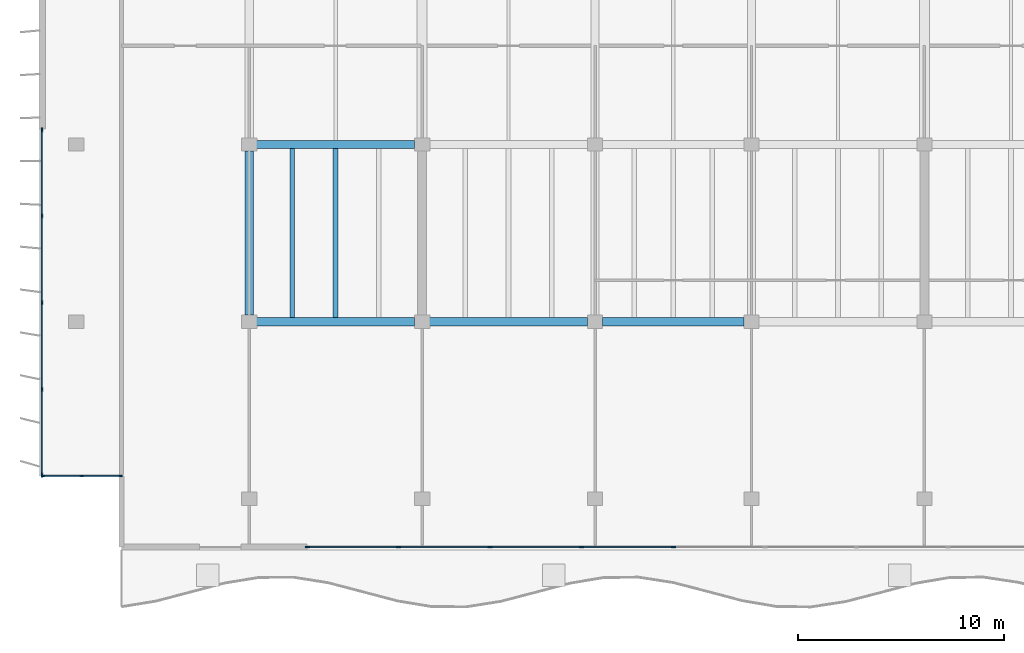
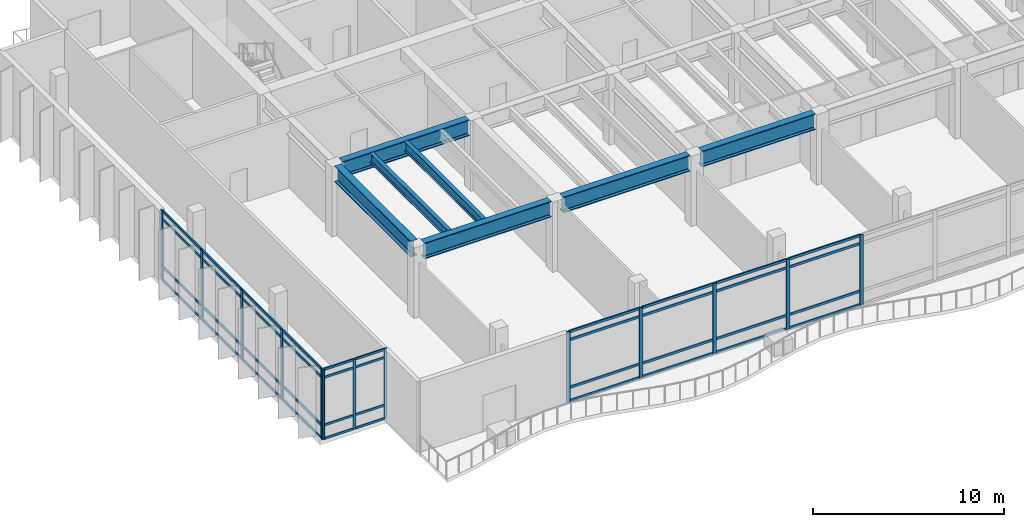
# One storey, part 2 of 14: 53 members, 7 beams, 3 elements without a shape of their own.
"""IFC4 building model written with IfcOpenShell, lengths in metres."""

import ifcopenshell
import ifcopenshell.guid

model = None  # the IFC model being written
_history = None  # IfcOwnerHistory: only IFC2X3 demands one
_inside = {}  # id of a spatial element -> (the spatial element, [elements in it])
_under = {}  # id of a project, library or spatial element -> (it, [spatial elements below it])
_declared = {}  # id of a project -> (the project, [libraries it declares])
_typed = {}  # id of a type object -> (the type object, [elements of that type])
_made_of = {}  # id of a material, layer set ... -> (it, [elements and type objects made of it])


def new_model(schema):
    """Start an empty IFC model of exactly this schema.

    Asked for "IFC4X3", IfcOpenShell would pick the latest addendum, in which some entities
    have other attributes; the version numbers below select the first issue.
    IFC2X3 requires an IfcOwnerHistory on every rooted entity: one is made here for all.
    """
    global model, _history
    if schema == "IFC4X3":
        model = ifcopenshell.file(schema_version=(4, 3, 0, 0))
    else:
        model = ifcopenshell.file(schema=schema)
    _inside.clear()
    _under.clear()
    _declared.clear()
    _typed.clear()
    _made_of.clear()
    _history = None
    if model.schema == "IFC2X3":
        org = make("IfcOrganization", Name="unknown")
        user = make(
            "IfcPersonAndOrganization",
            ThePerson=make("IfcPerson", FamilyName="unknown"),
            TheOrganization=org,
        )
        app = make(
            "IfcApplication",
            ApplicationDeveloper=org,
            Version="unknown",
            ApplicationFullName="unknown",
            ApplicationIdentifier="unknown",
        )
        _history = make(
            "IfcOwnerHistory",
            OwningUser=user,
            OwningApplication=app,
            ChangeAction="ADDED",
            CreationDate=0,
        )
    return model


def make(cls, **values):
    """One entity of the class cls with the attributes given. An attribute that is None is left unset."""
    return model.create_entity(
        cls, **{name: value for name, value in values.items() if value is not None}
    )


def rooted(cls, **values):
    """An entity with a GlobalId (a new one), such as an element, a storey or a relation."""
    return make(cls, GlobalId=ifcopenshell.guid.new(), OwnerHistory=_history, **values)


def si_unit(unit_type, name, prefix=None):
    """IfcSIUnit, for example si_unit("LENGTHUNIT", "METRE", prefix="MILLI")."""
    return make("IfcSIUnit", UnitType=unit_type, Prefix=prefix, Name=name)


def assignment(units):
    """IfcUnitAssignment: the units of a project."""
    return None if units is None else make("IfcUnitAssignment", Units=units)


def point(xyz):
    """IfcCartesianPoint."""
    return None if xyz is None else make("IfcCartesianPoint", Coordinates=xyz)


def direction(xyz):
    """IfcDirection."""
    return None if xyz is None else make("IfcDirection", DirectionRatios=xyz)


def frame(location, z_axis=None, x_axis=None):
    """IfcAxis2Placement3D, a coordinate frame: its origin and axes. An axis left out is left unset."""
    return make(
        "IfcAxis2Placement3D",
        Location=point(location),
        Axis=direction(z_axis),
        RefDirection=direction(x_axis),
    )


def frame_2d(location, x_axis=None):
    """IfcAxis2Placement2D, a coordinate frame in the plane: its origin and x axis."""
    return make(
        "IfcAxis2Placement2D", Location=point(location), RefDirection=direction(x_axis)
    )


def origin():
    """The frame at (0, 0, 0) with its axes left unset."""
    return frame((0.0, 0.0, 0.0))


def origin_2d():
    """The frame at (0, 0) in the plane with its x axis left unset."""
    return frame_2d((0.0, 0.0))


def place(relative_to, where):
    """IfcLocalPlacement: puts the frame where relative to a parent placement (None: the world)."""
    return make(
        "IfcLocalPlacement", PlacementRelTo=relative_to, RelativePlacement=where
    )


def context(
    kind, dimensions, precision=None, world=None, true_north=None, identifier=None
):
    """IfcGeometricRepresentationContext, for example the 3D "Model" context."""
    return make(
        "IfcGeometricRepresentationContext",
        ContextIdentifier=identifier,
        ContextType=kind,
        CoordinateSpaceDimension=dimensions,
        Precision=precision,
        WorldCoordinateSystem=world,
        TrueNorth=true_north,
    )


def subcontext(parent, identifier, kind, view, scale=None):
    """IfcGeometricRepresentationSubContext, for example "Body" below "Model"."""
    return make(
        "IfcGeometricRepresentationSubContext",
        ContextIdentifier=identifier,
        ContextType=kind,
        ParentContext=parent,
        TargetScale=scale,
        TargetView=view,
    )


def project(units=None, contexts=None):
    """IfcProject with its units and contexts."""
    return rooted(
        "IfcProject",
        Name="project",
        RepresentationContexts=contexts,
        UnitsInContext=assignment(units),
    )


def spatial(cls, under=None, at=None, **own):
    """A site, building, storey or space (cls), placed at a placement, below another one or the project."""
    s = rooted(cls, ObjectPlacement=at, **own)
    if under is not None:
        _under.setdefault(under.id(), (under, []))[1].append(s)
    return s


def profile(cls, at=None, kind="AREA", **sizes):
    """A parametric profile (cls). Its sizes go by their IFC names, for example OverallWidth=200.0."""
    return make(cls, ProfileType=kind, Position=at, **sizes)


def rectangle(**sizes):
    """IfcRectangleProfileDef."""
    return profile("IfcRectangleProfileDef", **sizes)


def i_section(**sizes):
    """IfcIShapeProfileDef."""
    return profile("IfcIShapeProfileDef", **sizes)


def extrude(swept, where, along, depth):
    """IfcExtrudedAreaSolid: the profile swept, set in the frame where, extruded along a direction by depth."""
    return make(
        "IfcExtrudedAreaSolid",
        SweptArea=swept,
        Position=where,
        ExtrudedDirection=direction(along),
        Depth=depth,
    )


def shape(context_of_items, identifier, shape_type, items):
    """IfcShapeRepresentation: the items that make up one representation, for example the "Body"."""
    return make(
        "IfcShapeRepresentation",
        ContextOfItems=context_of_items,
        RepresentationIdentifier=identifier,
        RepresentationType=shape_type,
        Items=items,
    )


def material(Name=None, Category=None):
    """IfcMaterial."""
    return make("IfcMaterial", Name=Name, Category=Category)


def layer(
    of_material, thickness, ventilated=None, Name=None, Category=None, Priority=None
):
    """IfcMaterialLayer: one layer of a wall or slab, of a material (None: an air gap)."""
    return make(
        "IfcMaterialLayer",
        Material=of_material,
        LayerThickness=thickness,
        IsVentilated=ventilated,
        Name=Name,
        Category=Category,
        Priority=Priority,
    )


def layer_set(layers, Name=None):
    """IfcMaterialLayerSet."""
    return make("IfcMaterialLayerSet", MaterialLayers=layers, LayerSetName=Name)


def material_profile(
    of_material, cross_section, Name=None, Category=None, Priority=None
):
    """IfcMaterialProfile: a cross section and its material."""
    return make(
        "IfcMaterialProfile",
        Name=Name,
        Material=of_material,
        Profile=cross_section,
        Priority=Priority,
        Category=Category,
    )


def profile_set(profiles, Name=None, composite=None):
    """IfcMaterialProfileSet."""
    return make(
        "IfcMaterialProfileSet",
        Name=Name,
        MaterialProfiles=profiles,
        CompositeProfile=composite,
    )


def made_of(thing, what):
    """Note that an element or type object is made of a material, layer set ...; save() writes the relation."""
    if what is not None:
        _made_of.setdefault(what.id(), (what, []))[1].append(thing)
    return thing


def type_object(cls, material=None, **own):
    """A type object (cls), such as IfcWallType, which elements share."""
    return made_of(rooted(cls, **own), material)


def element(
    cls,
    number,
    at=None,
    inside=None,
    cuts=None,
    type_object=None,
    material=None,
    context=None,
    identifier="Body",
    shape_type=None,
    held_by="IfcProductDefinitionShape",
    body=None,
    shapes=None,
    **own,
):
    """One element of the class cls, such as IfcWall. Its Tag is "e" and its number.

    at: its placement. inside: the storey or other place that contains it. cuts: it is an
    opening in that element (IfcRelVoidsElement). A single representation is given by context,
    identifier, shape_type and body (its items); several are given by shapes. held_by: the class
    of the entity that holds the representations. save() writes the other relations.
    """
    e = rooted(cls, Tag="e%d" % number, ObjectPlacement=at, **own)
    if body is not None:
        shapes = [shape(context, identifier, shape_type, body)]
    if shapes is not None:
        e.Representation = make(held_by, Representations=shapes)
    if inside is not None:
        _inside.setdefault(inside.id(), (inside, []))[1].append(e)
    if cuts is not None:
        rooted(
            "IfcRelVoidsElement", RelatingBuildingElement=cuts, RelatedOpeningElement=e
        )
    if type_object is not None:
        _typed.setdefault(type_object.id(), (type_object, []))[1].append(e)
    return made_of(e, material)


def aggregate(whole, parts):
    """IfcRelAggregates: a whole, such as a stair, and the parts it consists of."""
    return rooted("IfcRelAggregates", RelatingObject=whole, RelatedObjects=parts)


def save(model, path):
    """Write the relations noted so far, then the file.

    IfcRelAggregates (storeys below a building ...), IfcRelContainedInSpatialStructure (elements
    in a storey), IfcRelDefinesByType, IfcRelAssociatesMaterial and IfcRelDeclares: one each for
    every whole, place, type object, material and project.
    """
    for whole, parts in _under.values():
        aggregate(whole, parts)
    for where, things in _inside.values():
        rooted(
            "IfcRelContainedInSpatialStructure",
            RelatedElements=things,
            RelatingStructure=where,
        )
    for kind, things in _typed.values():
        rooted("IfcRelDefinesByType", RelatedObjects=things, RelatingType=kind)
    for what, things in _made_of.values():
        rooted("IfcRelAssociatesMaterial", RelatedObjects=things, RelatingMaterial=what)
    for by, libraries in _declared.values():
        rooted("IfcRelDeclares", RelatingContext=by, RelatedDefinitions=libraries)
    model.write(path)


model = new_model("IFC4")

# Units and contexts
model_context = context("Model", 3, precision=1e-05, world=origin(), true_north=direction((0.0, 1.0)))
body_context = subcontext(model_context, "Body", "Model", "MODEL_VIEW")
ifc_project = project(units=[si_unit("LENGTHUNIT", "METRE"), si_unit("AREAUNIT", "SQUARE_METRE"), si_unit("VOLUMEUNIT", "CUBIC_METRE"), si_unit("PLANEANGLEUNIT", "RADIAN"), si_unit("MASSUNIT", "GRAM", prefix="KILO")], contexts=[model_context])

# Site, building, storey
site_placement = place(None, origin())
site = spatial("IfcSite", under=ifc_project, at=site_placement, CompositionType="ELEMENT")
building_placement = place(site_placement, origin())
building = spatial("IfcBuilding", under=site, at=building_placement, Name="Caelmar Bay Residences", CompositionType="ELEMENT")
storey_placement = place(building_placement, frame((0.0, 0.0, 269.39990234375)))
storey = spatial("IfcBuildingStorey", under=building, at=storey_placement, Name="L76", CompositionType="ELEMENT", Elevation=269.39990234375)

# Beams
ifc_material_1 = material(Name="Steel ASTM A992 Grade 50", Category="steel")
ifc_material_profile_1 = material_profile(ifc_material_1, i_section(OverallWidth=0.404052734375, OverallDepth=1.02099609375, WebThickness=0.025390625, FlangeThickness=0.0458984375, FilletRadius=0.02294921875, at=origin_2d()), Name="W40X324")
ifc_profile_set_1 = profile_set([ifc_material_profile_1], Name="Steel ASTM A992 Grade 50")
beam_type_1 = type_object("IfcBeamType", Name="BM-GRD-W40X324", PredefinedType="BEAM", material=ifc_profile_set_1)
beam_1_placement = place(storey_placement, frame((18.6650390625, 20.800048828125, 3.989501953125), z_axis=(1.0, 0.0, 0.0), x_axis=(0.0, 1.0, 0.0)))
element("IfcBeam", 1, at=beam_1_placement, inside=storey, type_object=beam_type_1, Name="L76 East-West Girder Y=20.80 (18.3-26.7)", PredefinedType="BEAM", context=body_context, shape_type="SweptSolid", body=[
    extrude(i_section(OverallWidth=0.404052734375, OverallDepth=1.02099609375, WebThickness=0.025390625, FlangeThickness=0.0458984375, FilletRadius=0.02294921875, at=origin_2d()), origin(), (0.0, 0.0, 1.0), 7.669921875),
])
beam_2_placement = place(storey_placement, frame((27.06494140625, 20.800048828125, 3.989501953125), z_axis=(1.0, 0.0, 0.0), x_axis=(0.0, 1.0, 0.0)))
element("IfcBeam", 2, at=beam_2_placement, inside=storey, type_object=beam_type_1, Name="L76 East-West Girder Y=20.80 (26.7-35.1)", PredefinedType="BEAM", context=body_context, shape_type="SweptSolid", body=[
    extrude(i_section(OverallWidth=0.404052734375, OverallDepth=1.02099609375, WebThickness=0.025390625, FlangeThickness=0.0458984375, FilletRadius=0.02294921875, at=origin_2d()), origin(), (0.0, 0.0, 1.0), 7.670166015625),
])
beam_3_placement = place(storey_placement, frame((35.465087890625, 20.800048828125, 3.989501953125), z_axis=(1.0, 0.0, 0.0), x_axis=(0.0, 1.0, 0.0)))
element("IfcBeam", 3, at=beam_3_placement, inside=storey, type_object=beam_type_1, Name="L76 East-West Girder Y=20.80 (35.1-42.7)", PredefinedType="BEAM", context=body_context, shape_type="SweptSolid", body=[
    extrude(i_section(OverallWidth=0.404052734375, OverallDepth=1.02099609375, WebThickness=0.025390625, FlangeThickness=0.0458984375, FilletRadius=0.02294921875, at=origin_2d()), origin(), (0.0, 0.0, 1.0), 6.869873046875),
])
beam_4_placement = place(storey_placement, frame((18.6650390625, 29.39990234375, 3.989501953125), z_axis=(1.0, 0.0, 0.0), x_axis=(0.0, 1.0, 0.0)))
element("IfcBeam", 4, at=beam_4_placement, inside=storey, type_object=beam_type_1, Name="L76 East-West Girder Y=29.40 (18.3-26.7)", PredefinedType="BEAM", context=body_context, shape_type="SweptSolid", body=[
    extrude(i_section(OverallWidth=0.404052734375, OverallDepth=1.02099609375, WebThickness=0.025390625, FlangeThickness=0.0458984375, FilletRadius=0.02294921875, at=origin_2d()), origin(), (0.0, 0.0, 1.0), 7.669921875),
])
beam_5_placement = place(storey_placement, frame((18.300048828125, 21.114990234375, 3.989501953125), z_axis=(0.0, 1.0, 0.0), x_axis=(-1.0, 0.0, 0.0)))
element("IfcBeam", 5, at=beam_5_placement, inside=storey, type_object=beam_type_1, Name="L76 North-South Girder X=18.30 (20.8-29.4)", PredefinedType="BEAM", context=body_context, shape_type="SweptSolid", body=[
    extrude(i_section(OverallWidth=0.404052734375, OverallDepth=1.02099609375, WebThickness=0.025390625, FlangeThickness=0.0458984375, FilletRadius=0.02294921875, at=origin_2d()), origin(), (0.0, 0.0, 1.0), 7.969970703125),
])
ifc_material_profile_2 = material_profile(ifc_material_1, i_section(OverallWidth=0.22900390625, OverallDepth=0.612060546875, WebThickness=0.011962890625, FlangeThickness=0.01953125, FilletRadius=0.0126953125, at=origin_2d()), Name="W24X84")
ifc_profile_set_2 = profile_set([ifc_material_profile_2], Name="Steel ASTM A992 Grade 50")
beam_type_2 = type_object("IfcBeamType", Name="BM-JST-W24X84", PredefinedType="JOIST", material=ifc_profile_set_2)
for number, where, z_axis, x_axis, name in (
    (6, (20.39990234375, 21.001953125, 4.194091796875), (0.0, 1.0, 0.0), (-1.0, 0.0, 0.0), "L76 Composite Floor Joist 1"),
    (7, (22.5, 21.001953125, 4.194091796875), (0.0, 1.0, 0.0), (-1.0, 0.0, 0.0), "L76 Composite Floor Joist 2"),
):
    element("IfcBeam", number, at=place(storey_placement, frame(where, z_axis=z_axis, x_axis=x_axis)), inside=storey, type_object=beam_type_2, Name=name, PredefinedType="JOIST", context=body_context, shape_type="SweptSolid", body=[
        extrude(i_section(OverallWidth=0.22900390625, OverallDepth=0.612060546875, WebThickness=0.011962890625, FlangeThickness=0.01953125, FilletRadius=0.0126953125, at=origin_2d()), origin(), (0.0, 0.0, 1.0), 8.196044921875),
    ])

# Curtain wall, members
ifc_material_2 = material(Name="Anodised bronze aluminium 6063-T6 and laminated glass", Category="aluminium")
ifc_layer_1 = layer(ifc_material_2, 0.179931640625)
ifc_layer_set_1 = layer_set([ifc_layer_1], Name="Anodised bronze aluminium 6063-T6 and laminated glass")
curtain_wall_type_1 = type_object("IfcCurtainWallType", Name="CW6-NTC", PredefinedType="NOTDEFINED", material=ifc_layer_set_1)
curtain_wall_1_placement = place(storey_placement, origin())
curtain_wall_1 = element("IfcCurtainWall", 8, at=curtain_wall_1_placement, inside=storey, type_object=curtain_wall_type_1, Name="CW6 curtain wall L76", PredefinedType="NOTDEFINED")
ifc_material_3 = material(Name="Anodised bronze aluminium 6063-T6", Category="aluminium")
ifc_material_profile_3 = material_profile(ifc_material_3, rectangle(XDim=0.080078125, YDim=0.179931640625, at=origin_2d()), Name="CWM-80X180")
ifc_profile_set_3 = profile_set([ifc_material_profile_3], Name="Anodised bronze aluminium 6063-T6")
member_type_1 = type_object("IfcMemberType", Name="CWM-180", PredefinedType="MULLION", material=ifc_profile_set_3)
member_1_placement = place(storey_placement, frame((8.2900390625, 13.300048828125, 0.0), z_axis=(0.0, 0.0, 1.0), x_axis=(0.0, 1.0, 0.0)))
member_1 = element("IfcMember", 9, at=member_1_placement, type_object=member_type_1, Name="CW6 mullion 1", PredefinedType="MULLION", context=body_context, shape_type="SweptSolid", body=[
    extrude(rectangle(XDim=0.080078125, YDim=0.179931640625, at=origin_2d()), origin(), (0.0, 0.0, 1.0), 4.5),
])
member_2_placement = place(storey_placement, frame((10.175048828125, 13.300048828125, 0.0), z_axis=(0.0, 0.0, 1.0), x_axis=(0.0, 1.0, 0.0)))
member_2 = element("IfcMember", 10, at=member_2_placement, type_object=member_type_1, Name="CW6 mullion 2", PredefinedType="MULLION", context=body_context, shape_type="SweptSolid", body=[
    extrude(rectangle(XDim=0.080078125, YDim=0.179931640625, at=origin_2d()), origin(), (0.0, 0.0, 1.0), 4.5),
])
member_3_placement = place(storey_placement, frame((12.06005859375, 13.300048828125, 0.0), z_axis=(0.0, 0.0, 1.0), x_axis=(0.0, 1.0, 0.0)))
member_3 = element("IfcMember", 11, at=member_3_placement, type_object=member_type_1, Name="CW6 mullion 3", PredefinedType="MULLION", context=body_context, shape_type="SweptSolid", body=[
    extrude(rectangle(XDim=0.080078125, YDim=0.179931640625, at=origin_2d()), origin(), (0.0, 0.0, 1.0), 4.5),
])

ifc_layer_2 = layer(ifc_material_2, 0.179931640625)
ifc_layer_set_2 = layer_set([ifc_layer_2], Name="Anodised bronze aluminium 6063-T6 and laminated glass")
curtain_wall_type_2 = type_object("IfcCurtainWallType", Name="CW7-CRN", PredefinedType="NOTDEFINED", material=ifc_layer_set_2)
curtain_wall_2_placement = place(storey_placement, origin())
curtain_wall_2 = element("IfcCurtainWall", 12, at=curtain_wall_2_placement, inside=storey, type_object=curtain_wall_type_2, Name="CW7 curtain wall L76", PredefinedType="NOTDEFINED")
ifc_material_profile_4 = material_profile(ifc_material_3, rectangle(XDim=0.080078125, YDim=0.219970703125, at=origin_2d()), Name="CWM-80X220")
ifc_profile_set_4 = profile_set([ifc_material_profile_4], Name="Anodised bronze aluminium 6063-T6")
member_type_2 = type_object("IfcMemberType", Name="CWM-220", PredefinedType="MULLION", material=ifc_profile_set_4)
member_4_placement = place(storey_placement, frame((38.89990234375, 9.85009765625, 0.0), z_axis=(0.0, 0.0, 1.0), x_axis=(0.0, -1.0, 0.0)))
member_4 = element("IfcMember", 13, at=member_4_placement, type_object=member_type_2, Name="CW7 mullion 5", PredefinedType="MULLION", context=body_context, shape_type="SweptSolid", body=[
    extrude(rectangle(XDim=0.080078125, YDim=0.219970703125, at=origin_2d()), origin(), (0.0, 0.0, 1.0), 4.5),
])
member_5_placement = place(storey_placement, frame((34.449951171875, 9.85009765625, 0.0), z_axis=(0.0, 0.0, 1.0), x_axis=(0.0, -1.0, 0.0)))
member_5 = element("IfcMember", 14, at=member_5_placement, type_object=member_type_2, Name="CW7 mullion 6", PredefinedType="MULLION", context=body_context, shape_type="SweptSolid", body=[
    extrude(rectangle(XDim=0.080078125, YDim=0.219970703125, at=origin_2d()), origin(), (0.0, 0.0, 1.0), 4.5),
])
member_6_placement = place(storey_placement, frame((30.0, 9.85009765625, 0.0), z_axis=(0.0, 0.0, 1.0), x_axis=(0.0, -1.0, 0.0)))
member_6 = element("IfcMember", 15, at=member_6_placement, type_object=member_type_2, Name="CW7 mullion 7", PredefinedType="MULLION", context=body_context, shape_type="SweptSolid", body=[
    extrude(rectangle(XDim=0.080078125, YDim=0.219970703125, at=origin_2d()), origin(), (0.0, 0.0, 1.0), 4.5),
])
member_7_placement = place(storey_placement, frame((25.550048828125, 9.85009765625, 0.0), z_axis=(0.0, 0.0, 1.0), x_axis=(0.0, -1.0, 0.0)))
member_7 = element("IfcMember", 16, at=member_7_placement, type_object=member_type_2, Name="CW7 mullion 8", PredefinedType="MULLION", context=body_context, shape_type="SweptSolid", body=[
    extrude(rectangle(XDim=0.080078125, YDim=0.219970703125, at=origin_2d()), origin(), (0.0, 0.0, 1.0), 4.5),
])
member_8_placement = place(storey_placement, frame((21.139892578125, 9.85009765625, 0.0), z_axis=(0.0, 0.0, 1.0), x_axis=(0.0, -1.0, 0.0)))
member_8 = element("IfcMember", 17, at=member_8_placement, type_object=member_type_2, Name="CW7 mullion 9", PredefinedType="MULLION", context=body_context, shape_type="SweptSolid", body=[
    extrude(rectangle(XDim=0.080078125, YDim=0.219970703125, at=origin_2d()), origin(), (0.0, 0.0, 1.0), 4.5),
])

curtain_wall_3_placement = place(storey_placement, origin())
curtain_wall_3 = element("IfcCurtainWall", 18, at=curtain_wall_3_placement, inside=storey, type_object=curtain_wall_type_2, Name="CW7 curtain wall L76", PredefinedType="NOTDEFINED")
member_9_placement = place(storey_placement, frame((8.25, 13.340087890625, 0.0), z_axis=(0.0, 0.0, 1.0), x_axis=(-1.0, 0.0, 0.0)))
member_9 = element("IfcMember", 19, at=member_9_placement, type_object=member_type_2, Name="CW7 mullion 1", PredefinedType="MULLION", context=body_context, shape_type="SweptSolid", body=[
    extrude(rectangle(XDim=0.080078125, YDim=0.219970703125, at=origin_2d()), origin(), (0.0, 0.0, 1.0), 4.5),
])
member_10_placement = place(storey_placement, frame((8.25, 17.512451171875, 0.0), z_axis=(0.0, 0.0, 1.0), x_axis=(-1.0, 0.0, 0.0)))
member_10 = element("IfcMember", 20, at=member_10_placement, type_object=member_type_2, Name="CW7 mullion 2", PredefinedType="MULLION", context=body_context, shape_type="SweptSolid", body=[
    extrude(rectangle(XDim=0.080078125, YDim=0.219970703125, at=origin_2d()), origin(), (0.0, 0.0, 1.0), 4.5),
])
member_11_placement = place(storey_placement, frame((8.25, 21.72509765625, 0.0), z_axis=(0.0, 0.0, 1.0), x_axis=(-1.0, 0.0, 0.0)))
member_11 = element("IfcMember", 21, at=member_11_placement, type_object=member_type_2, Name="CW7 mullion 3", PredefinedType="MULLION", context=body_context, shape_type="SweptSolid", body=[
    extrude(rectangle(XDim=0.080078125, YDim=0.219970703125, at=origin_2d()), origin(), (0.0, 0.0, 1.0), 4.5),
])
member_12_placement = place(storey_placement, frame((8.25, 25.9375, 0.0), z_axis=(0.0, 0.0, 1.0), x_axis=(-1.0, 0.0, 0.0)))
member_12 = element("IfcMember", 22, at=member_12_placement, type_object=member_type_2, Name="CW7 mullion 4", PredefinedType="MULLION", context=body_context, shape_type="SweptSolid", body=[
    extrude(rectangle(XDim=0.080078125, YDim=0.219970703125, at=origin_2d()), origin(), (0.0, 0.0, 1.0), 4.5),
])
member_13_placement = place(storey_placement, frame((8.25, 30.110107421875, 0.0), z_axis=(0.0, 0.0, 1.0), x_axis=(-1.0, 0.0, 0.0)))
member_13 = element("IfcMember", 23, at=member_13_placement, type_object=member_type_2, Name="CW7 mullion 5", PredefinedType="MULLION", context=body_context, shape_type="SweptSolid", body=[
    extrude(rectangle(XDim=0.080078125, YDim=0.219970703125, at=origin_2d()), origin(), (0.0, 0.0, 1.0), 4.5),
])

# Member
ifc_material_profile_5 = material_profile(ifc_material_3, rectangle(XDim=0.080078125, YDim=0.139892578125, at=origin_2d()), Name="CWT-80X140")
ifc_profile_set_5 = profile_set([ifc_material_profile_5], Name="Anodised bronze aluminium 6063-T6")
member_type_3 = type_object("IfcMemberType", Name="CWT-140", PredefinedType="NOTDEFINED", material=ifc_profile_set_5)
member_14_placement = place(storey_placement, frame((8.330078125, 13.300048828125, 0.0400390625), z_axis=(1.0, 0.0, 0.0), x_axis=(0.0, 1.0, 0.0)))
member_14 = element("IfcMember", 24, at=member_14_placement, type_object=member_type_3, Name="CW6 transom 1.1", ObjectType="TRANSOM", PredefinedType="USERDEFINED", context=body_context, shape_type="SweptSolid", body=[
    extrude(rectangle(XDim=0.080078125, YDim=0.139892578125, at=origin_2d()), origin(), (0.0, 0.0, 1.0), 1.804931640625),
])

member_15_placement = place(storey_placement, frame((8.330078125, 13.300048828125, 0.900146484375), z_axis=(1.0, 0.0, 0.0), x_axis=(0.0, 1.0, 0.0)))
member_15 = element("IfcMember", 25, at=member_15_placement, type_object=member_type_3, Name="CW6 transom 1.2", ObjectType="TRANSOM", PredefinedType="USERDEFINED", context=body_context, shape_type="SweptSolid", body=[
    extrude(rectangle(XDim=0.080078125, YDim=0.139892578125, at=origin_2d()), origin(), (0.0, 0.0, 1.0), 1.804931640625),
])

member_16_placement = place(storey_placement, frame((8.330078125, 13.300048828125, 3.9501953125), z_axis=(1.0, 0.0, 0.0), x_axis=(0.0, 1.0, 0.0)))
member_16 = element("IfcMember", 26, at=member_16_placement, type_object=member_type_3, Name="CW6 transom 1.3", ObjectType="TRANSOM", PredefinedType="USERDEFINED", context=body_context, shape_type="SweptSolid", body=[
    extrude(rectangle(XDim=0.080078125, YDim=0.139892578125, at=origin_2d()), origin(), (0.0, 0.0, 1.0), 1.804931640625),
])

member_17_placement = place(storey_placement, frame((8.330078125, 13.300048828125, 4.460205078125), z_axis=(1.0, 0.0, 0.0), x_axis=(0.0, 1.0, 0.0)))
member_17 = element("IfcMember", 27, at=member_17_placement, type_object=member_type_3, Name="CW6 transom 1.4", ObjectType="TRANSOM", PredefinedType="USERDEFINED", context=body_context, shape_type="SweptSolid", body=[
    extrude(rectangle(XDim=0.080078125, YDim=0.139892578125, at=origin_2d()), origin(), (0.0, 0.0, 1.0), 1.804931640625),
])

member_18_placement = place(storey_placement, frame((10.215087890625, 13.300048828125, 0.0400390625), z_axis=(1.0, 0.0, 0.0), x_axis=(0.0, 1.0, 0.0)))
member_18 = element("IfcMember", 28, at=member_18_placement, type_object=member_type_3, Name="CW6 transom 2.1", ObjectType="TRANSOM", PredefinedType="USERDEFINED", context=body_context, shape_type="SweptSolid", body=[
    extrude(rectangle(XDim=0.080078125, YDim=0.139892578125, at=origin_2d()), origin(), (0.0, 0.0, 1.0), 1.804931640625),
])

member_19_placement = place(storey_placement, frame((10.215087890625, 13.300048828125, 0.900146484375), z_axis=(1.0, 0.0, 0.0), x_axis=(0.0, 1.0, 0.0)))
member_19 = element("IfcMember", 29, at=member_19_placement, type_object=member_type_3, Name="CW6 transom 2.2", ObjectType="TRANSOM", PredefinedType="USERDEFINED", context=body_context, shape_type="SweptSolid", body=[
    extrude(rectangle(XDim=0.080078125, YDim=0.139892578125, at=origin_2d()), origin(), (0.0, 0.0, 1.0), 1.804931640625),
])

member_20_placement = place(storey_placement, frame((10.215087890625, 13.300048828125, 3.9501953125), z_axis=(1.0, 0.0, 0.0), x_axis=(0.0, 1.0, 0.0)))
member_20 = element("IfcMember", 30, at=member_20_placement, type_object=member_type_3, Name="CW6 transom 2.3", ObjectType="TRANSOM", PredefinedType="USERDEFINED", context=body_context, shape_type="SweptSolid", body=[
    extrude(rectangle(XDim=0.080078125, YDim=0.139892578125, at=origin_2d()), origin(), (0.0, 0.0, 1.0), 1.804931640625),
])

member_21_placement = place(storey_placement, frame((10.215087890625, 13.300048828125, 4.460205078125), z_axis=(1.0, 0.0, 0.0), x_axis=(0.0, 1.0, 0.0)))
member_21 = element("IfcMember", 31, at=member_21_placement, type_object=member_type_3, Name="CW6 transom 2.4", ObjectType="TRANSOM", PredefinedType="USERDEFINED", context=body_context, shape_type="SweptSolid", body=[
    extrude(rectangle(XDim=0.080078125, YDim=0.139892578125, at=origin_2d()), origin(), (0.0, 0.0, 1.0), 1.804931640625),
])

aggregate(curtain_wall_1, [member_1, member_2, member_3, member_14, member_15, member_16, member_17, member_18, member_19, member_20, member_21])

ifc_material_profile_6 = material_profile(ifc_material_3, rectangle(XDim=0.080078125, YDim=0.159912109375, at=origin_2d()), Name="CWT-80X160")
ifc_profile_set_6 = profile_set([ifc_material_profile_6], Name="Anodised bronze aluminium 6063-T6")
member_type_4 = type_object("IfcMemberType", Name="CWT-160", PredefinedType="NOTDEFINED", material=ifc_profile_set_6)
member_22_placement = place(storey_placement, frame((38.860107421875, 9.85009765625, 0.0400390625), z_axis=(-1.0, 0.0, 0.0), x_axis=(0.0, -1.0, 0.0)))
member_22 = element("IfcMember", 32, at=member_22_placement, type_object=member_type_4, Name="CW7 transom 5.1", ObjectType="TRANSOM", PredefinedType="USERDEFINED", context=body_context, shape_type="SweptSolid", body=[
    extrude(rectangle(XDim=0.080078125, YDim=0.159912109375, at=origin_2d()), origin(), (0.0, 0.0, 1.0), 4.3701171875),
])

member_23_placement = place(storey_placement, frame((38.860107421875, 9.85009765625, 0.900146484375), z_axis=(-1.0, 0.0, 0.0), x_axis=(0.0, -1.0, 0.0)))
member_23 = element("IfcMember", 33, at=member_23_placement, type_object=member_type_4, Name="CW7 transom 5.2", ObjectType="TRANSOM", PredefinedType="USERDEFINED", context=body_context, shape_type="SweptSolid", body=[
    extrude(rectangle(XDim=0.080078125, YDim=0.159912109375, at=origin_2d()), origin(), (0.0, 0.0, 1.0), 4.3701171875),
])

member_24_placement = place(storey_placement, frame((38.860107421875, 9.85009765625, 3.9501953125), z_axis=(-1.0, 0.0, 0.0), x_axis=(0.0, -1.0, 0.0)))
member_24 = element("IfcMember", 34, at=member_24_placement, type_object=member_type_4, Name="CW7 transom 5.3", ObjectType="TRANSOM", PredefinedType="USERDEFINED", context=body_context, shape_type="SweptSolid", body=[
    extrude(rectangle(XDim=0.080078125, YDim=0.159912109375, at=origin_2d()), origin(), (0.0, 0.0, 1.0), 4.3701171875),
])

member_25_placement = place(storey_placement, frame((38.860107421875, 9.85009765625, 4.460205078125), z_axis=(-1.0, 0.0, 0.0), x_axis=(0.0, -1.0, 0.0)))
member_25 = element("IfcMember", 35, at=member_25_placement, type_object=member_type_4, Name="CW7 transom 5.4", ObjectType="TRANSOM", PredefinedType="USERDEFINED", context=body_context, shape_type="SweptSolid", body=[
    extrude(rectangle(XDim=0.080078125, YDim=0.159912109375, at=origin_2d()), origin(), (0.0, 0.0, 1.0), 4.3701171875),
])

member_26_placement = place(storey_placement, frame((34.409912109375, 9.85009765625, 0.0400390625), z_axis=(-1.0, 0.0, 0.0), x_axis=(0.0, -1.0, 0.0)))
member_26 = element("IfcMember", 36, at=member_26_placement, type_object=member_type_4, Name="CW7 transom 6.1", ObjectType="TRANSOM", PredefinedType="USERDEFINED", context=body_context, shape_type="SweptSolid", body=[
    extrude(rectangle(XDim=0.080078125, YDim=0.159912109375, at=origin_2d()), origin(), (0.0, 0.0, 1.0), 4.369873046875),
])

member_27_placement = place(storey_placement, frame((34.409912109375, 9.85009765625, 0.900146484375), z_axis=(-1.0, 0.0, 0.0), x_axis=(0.0, -1.0, 0.0)))
member_27 = element("IfcMember", 37, at=member_27_placement, type_object=member_type_4, Name="CW7 transom 6.2", ObjectType="TRANSOM", PredefinedType="USERDEFINED", context=body_context, shape_type="SweptSolid", body=[
    extrude(rectangle(XDim=0.080078125, YDim=0.159912109375, at=origin_2d()), origin(), (0.0, 0.0, 1.0), 4.369873046875),
])

member_28_placement = place(storey_placement, frame((34.409912109375, 9.85009765625, 3.9501953125), z_axis=(-1.0, 0.0, 0.0), x_axis=(0.0, -1.0, 0.0)))
member_28 = element("IfcMember", 38, at=member_28_placement, type_object=member_type_4, Name="CW7 transom 6.3", ObjectType="TRANSOM", PredefinedType="USERDEFINED", context=body_context, shape_type="SweptSolid", body=[
    extrude(rectangle(XDim=0.080078125, YDim=0.159912109375, at=origin_2d()), origin(), (0.0, 0.0, 1.0), 4.369873046875),
])

member_29_placement = place(storey_placement, frame((34.409912109375, 9.85009765625, 4.460205078125), z_axis=(-1.0, 0.0, 0.0), x_axis=(0.0, -1.0, 0.0)))
member_29 = element("IfcMember", 39, at=member_29_placement, type_object=member_type_4, Name="CW7 transom 6.4", ObjectType="TRANSOM", PredefinedType="USERDEFINED", context=body_context, shape_type="SweptSolid", body=[
    extrude(rectangle(XDim=0.080078125, YDim=0.159912109375, at=origin_2d()), origin(), (0.0, 0.0, 1.0), 4.369873046875),
])

member_30_placement = place(storey_placement, frame((29.9599609375, 9.85009765625, 0.0400390625), z_axis=(-1.0, 0.0, 0.0), x_axis=(0.0, -1.0, 0.0)))
member_30 = element("IfcMember", 40, at=member_30_placement, type_object=member_type_4, Name="CW7 transom 7.1", ObjectType="TRANSOM", PredefinedType="USERDEFINED", context=body_context, shape_type="SweptSolid", body=[
    extrude(rectangle(XDim=0.080078125, YDim=0.159912109375, at=origin_2d()), origin(), (0.0, 0.0, 1.0), 4.369873046875),
])

member_31_placement = place(storey_placement, frame((29.9599609375, 9.85009765625, 0.900146484375), z_axis=(-1.0, 0.0, 0.0), x_axis=(0.0, -1.0, 0.0)))
member_31 = element("IfcMember", 41, at=member_31_placement, type_object=member_type_4, Name="CW7 transom 7.2", ObjectType="TRANSOM", PredefinedType="USERDEFINED", context=body_context, shape_type="SweptSolid", body=[
    extrude(rectangle(XDim=0.080078125, YDim=0.159912109375, at=origin_2d()), origin(), (0.0, 0.0, 1.0), 4.369873046875),
])

member_32_placement = place(storey_placement, frame((29.9599609375, 9.85009765625, 3.9501953125), z_axis=(-1.0, 0.0, 0.0), x_axis=(0.0, -1.0, 0.0)))
member_32 = element("IfcMember", 42, at=member_32_placement, type_object=member_type_4, Name="CW7 transom 7.3", ObjectType="TRANSOM", PredefinedType="USERDEFINED", context=body_context, shape_type="SweptSolid", body=[
    extrude(rectangle(XDim=0.080078125, YDim=0.159912109375, at=origin_2d()), origin(), (0.0, 0.0, 1.0), 4.369873046875),
])

member_33_placement = place(storey_placement, frame((29.9599609375, 9.85009765625, 4.460205078125), z_axis=(-1.0, 0.0, 0.0), x_axis=(0.0, -1.0, 0.0)))
member_33 = element("IfcMember", 43, at=member_33_placement, type_object=member_type_4, Name="CW7 transom 7.4", ObjectType="TRANSOM", PredefinedType="USERDEFINED", context=body_context, shape_type="SweptSolid", body=[
    extrude(rectangle(XDim=0.080078125, YDim=0.159912109375, at=origin_2d()), origin(), (0.0, 0.0, 1.0), 4.369873046875),
])

member_34_placement = place(storey_placement, frame((25.510009765625, 9.85009765625, 0.0400390625), z_axis=(-1.0, 0.0, 0.0), x_axis=(0.0, -1.0, 0.0)))
member_34 = element("IfcMember", 44, at=member_34_placement, type_object=member_type_4, Name="CW7 transom 8.1", ObjectType="TRANSOM", PredefinedType="USERDEFINED", context=body_context, shape_type="SweptSolid", body=[
    extrude(rectangle(XDim=0.080078125, YDim=0.159912109375, at=origin_2d()), origin(), (0.0, 0.0, 1.0), 4.330078125),
])

member_35_placement = place(storey_placement, frame((25.510009765625, 9.85009765625, 0.900146484375), z_axis=(-1.0, 0.0, 0.0), x_axis=(0.0, -1.0, 0.0)))
member_35 = element("IfcMember", 45, at=member_35_placement, type_object=member_type_4, Name="CW7 transom 8.2", ObjectType="TRANSOM", PredefinedType="USERDEFINED", context=body_context, shape_type="SweptSolid", body=[
    extrude(rectangle(XDim=0.080078125, YDim=0.159912109375, at=origin_2d()), origin(), (0.0, 0.0, 1.0), 4.330078125),
])

member_36_placement = place(storey_placement, frame((25.510009765625, 9.85009765625, 3.9501953125), z_axis=(-1.0, 0.0, 0.0), x_axis=(0.0, -1.0, 0.0)))
member_36 = element("IfcMember", 46, at=member_36_placement, type_object=member_type_4, Name="CW7 transom 8.3", ObjectType="TRANSOM", PredefinedType="USERDEFINED", context=body_context, shape_type="SweptSolid", body=[
    extrude(rectangle(XDim=0.080078125, YDim=0.159912109375, at=origin_2d()), origin(), (0.0, 0.0, 1.0), 4.330078125),
])

member_37_placement = place(storey_placement, frame((25.510009765625, 9.85009765625, 4.460205078125), z_axis=(-1.0, 0.0, 0.0), x_axis=(0.0, -1.0, 0.0)))
member_37 = element("IfcMember", 47, at=member_37_placement, type_object=member_type_4, Name="CW7 transom 8.4", ObjectType="TRANSOM", PredefinedType="USERDEFINED", context=body_context, shape_type="SweptSolid", body=[
    extrude(rectangle(XDim=0.080078125, YDim=0.159912109375, at=origin_2d()), origin(), (0.0, 0.0, 1.0), 4.330078125),
])

aggregate(curtain_wall_2, [member_4, member_5, member_6, member_7, member_8, member_22, member_23, member_24, member_25, member_26, member_27, member_28, member_29, member_30, member_31, member_32, member_33, member_34, member_35, member_36, member_37])

member_38_placement = place(storey_placement, frame((8.25, 13.3798828125, 0.0400390625), z_axis=(0.0, 1.0, 0.0), x_axis=(-1.0, 0.0, 0.0)))
member_38 = element("IfcMember", 48, at=member_38_placement, type_object=member_type_4, Name="CW7 transom 1.1", ObjectType="TRANSOM", PredefinedType="USERDEFINED", context=body_context, shape_type="SweptSolid", body=[
    extrude(rectangle(XDim=0.080078125, YDim=0.159912109375, at=origin_2d()), origin(), (0.0, 0.0, 1.0), 4.092529296875),
])

member_39_placement = place(storey_placement, frame((8.25, 13.3798828125, 0.900146484375), z_axis=(0.0, 1.0, 0.0), x_axis=(-1.0, 0.0, 0.0)))
member_39 = element("IfcMember", 49, at=member_39_placement, type_object=member_type_4, Name="CW7 transom 1.2", ObjectType="TRANSOM", PredefinedType="USERDEFINED", context=body_context, shape_type="SweptSolid", body=[
    extrude(rectangle(XDim=0.080078125, YDim=0.159912109375, at=origin_2d()), origin(), (0.0, 0.0, 1.0), 4.092529296875),
])

member_40_placement = place(storey_placement, frame((8.25, 13.3798828125, 3.9501953125), z_axis=(0.0, 1.0, 0.0), x_axis=(-1.0, 0.0, 0.0)))
member_40 = element("IfcMember", 50, at=member_40_placement, type_object=member_type_4, Name="CW7 transom 1.3", ObjectType="TRANSOM", PredefinedType="USERDEFINED", context=body_context, shape_type="SweptSolid", body=[
    extrude(rectangle(XDim=0.080078125, YDim=0.159912109375, at=origin_2d()), origin(), (0.0, 0.0, 1.0), 4.092529296875),
])

member_41_placement = place(storey_placement, frame((8.25, 13.3798828125, 4.460205078125), z_axis=(0.0, 1.0, 0.0), x_axis=(-1.0, 0.0, 0.0)))
member_41 = element("IfcMember", 51, at=member_41_placement, type_object=member_type_4, Name="CW7 transom 1.4", ObjectType="TRANSOM", PredefinedType="USERDEFINED", context=body_context, shape_type="SweptSolid", body=[
    extrude(rectangle(XDim=0.080078125, YDim=0.159912109375, at=origin_2d()), origin(), (0.0, 0.0, 1.0), 4.092529296875),
])

member_42_placement = place(storey_placement, frame((8.25, 17.552490234375, 0.0400390625), z_axis=(0.0, 1.0, 0.0), x_axis=(-1.0, 0.0, 0.0)))
member_42 = element("IfcMember", 52, at=member_42_placement, type_object=member_type_4, Name="CW7 transom 2.1", ObjectType="TRANSOM", PredefinedType="USERDEFINED", context=body_context, shape_type="SweptSolid", body=[
    extrude(rectangle(XDim=0.080078125, YDim=0.159912109375, at=origin_2d()), origin(), (0.0, 0.0, 1.0), 4.132568359375),
])

member_43_placement = place(storey_placement, frame((8.25, 17.552490234375, 0.900146484375), z_axis=(0.0, 1.0, 0.0), x_axis=(-1.0, 0.0, 0.0)))
member_43 = element("IfcMember", 53, at=member_43_placement, type_object=member_type_4, Name="CW7 transom 2.2", ObjectType="TRANSOM", PredefinedType="USERDEFINED", context=body_context, shape_type="SweptSolid", body=[
    extrude(rectangle(XDim=0.080078125, YDim=0.159912109375, at=origin_2d()), origin(), (0.0, 0.0, 1.0), 4.132568359375),
])

member_44_placement = place(storey_placement, frame((8.25, 17.552490234375, 3.9501953125), z_axis=(0.0, 1.0, 0.0), x_axis=(-1.0, 0.0, 0.0)))
member_44 = element("IfcMember", 54, at=member_44_placement, type_object=member_type_4, Name="CW7 transom 2.3", ObjectType="TRANSOM", PredefinedType="USERDEFINED", context=body_context, shape_type="SweptSolid", body=[
    extrude(rectangle(XDim=0.080078125, YDim=0.159912109375, at=origin_2d()), origin(), (0.0, 0.0, 1.0), 4.132568359375),
])

member_45_placement = place(storey_placement, frame((8.25, 17.552490234375, 4.460205078125), z_axis=(0.0, 1.0, 0.0), x_axis=(-1.0, 0.0, 0.0)))
member_45 = element("IfcMember", 55, at=member_45_placement, type_object=member_type_4, Name="CW7 transom 2.4", ObjectType="TRANSOM", PredefinedType="USERDEFINED", context=body_context, shape_type="SweptSolid", body=[
    extrude(rectangle(XDim=0.080078125, YDim=0.159912109375, at=origin_2d()), origin(), (0.0, 0.0, 1.0), 4.132568359375),
])

member_46_placement = place(storey_placement, frame((8.25, 21.764892578125, 0.0400390625), z_axis=(0.0, 1.0, 0.0), x_axis=(-1.0, 0.0, 0.0)))
member_46 = element("IfcMember", 56, at=member_46_placement, type_object=member_type_4, Name="CW7 transom 3.1", ObjectType="TRANSOM", PredefinedType="USERDEFINED", context=body_context, shape_type="SweptSolid", body=[
    extrude(rectangle(XDim=0.080078125, YDim=0.159912109375, at=origin_2d()), origin(), (0.0, 0.0, 1.0), 4.132568359375),
])

member_47_placement = place(storey_placement, frame((8.25, 21.764892578125, 0.900146484375), z_axis=(0.0, 1.0, 0.0), x_axis=(-1.0, 0.0, 0.0)))
member_47 = element("IfcMember", 57, at=member_47_placement, type_object=member_type_4, Name="CW7 transom 3.2", ObjectType="TRANSOM", PredefinedType="USERDEFINED", context=body_context, shape_type="SweptSolid", body=[
    extrude(rectangle(XDim=0.080078125, YDim=0.159912109375, at=origin_2d()), origin(), (0.0, 0.0, 1.0), 4.132568359375),
])

member_48_placement = place(storey_placement, frame((8.25, 21.764892578125, 3.9501953125), z_axis=(0.0, 1.0, 0.0), x_axis=(-1.0, 0.0, 0.0)))
member_48 = element("IfcMember", 58, at=member_48_placement, type_object=member_type_4, Name="CW7 transom 3.3", ObjectType="TRANSOM", PredefinedType="USERDEFINED", context=body_context, shape_type="SweptSolid", body=[
    extrude(rectangle(XDim=0.080078125, YDim=0.159912109375, at=origin_2d()), origin(), (0.0, 0.0, 1.0), 4.132568359375),
])

member_49_placement = place(storey_placement, frame((8.25, 21.764892578125, 4.460205078125), z_axis=(0.0, 1.0, 0.0), x_axis=(-1.0, 0.0, 0.0)))
member_49 = element("IfcMember", 59, at=member_49_placement, type_object=member_type_4, Name="CW7 transom 3.4", ObjectType="TRANSOM", PredefinedType="USERDEFINED", context=body_context, shape_type="SweptSolid", body=[
    extrude(rectangle(XDim=0.080078125, YDim=0.159912109375, at=origin_2d()), origin(), (0.0, 0.0, 1.0), 4.132568359375),
])

member_50_placement = place(storey_placement, frame((8.25, 25.9775390625, 0.0400390625), z_axis=(0.0, 1.0, 0.0), x_axis=(-1.0, 0.0, 0.0)))
member_50 = element("IfcMember", 60, at=member_50_placement, type_object=member_type_4, Name="CW7 transom 4.1", ObjectType="TRANSOM", PredefinedType="USERDEFINED", context=body_context, shape_type="SweptSolid", body=[
    extrude(rectangle(XDim=0.080078125, YDim=0.159912109375, at=origin_2d()), origin(), (0.0, 0.0, 1.0), 4.092529296875),
])

member_51_placement = place(storey_placement, frame((8.25, 25.9775390625, 0.900146484375), z_axis=(0.0, 1.0, 0.0), x_axis=(-1.0, 0.0, 0.0)))
member_51 = element("IfcMember", 61, at=member_51_placement, type_object=member_type_4, Name="CW7 transom 4.2", ObjectType="TRANSOM", PredefinedType="USERDEFINED", context=body_context, shape_type="SweptSolid", body=[
    extrude(rectangle(XDim=0.080078125, YDim=0.159912109375, at=origin_2d()), origin(), (0.0, 0.0, 1.0), 4.092529296875),
])

member_52_placement = place(storey_placement, frame((8.25, 25.9775390625, 3.9501953125), z_axis=(0.0, 1.0, 0.0), x_axis=(-1.0, 0.0, 0.0)))
member_52 = element("IfcMember", 62, at=member_52_placement, type_object=member_type_4, Name="CW7 transom 4.3", ObjectType="TRANSOM", PredefinedType="USERDEFINED", context=body_context, shape_type="SweptSolid", body=[
    extrude(rectangle(XDim=0.080078125, YDim=0.159912109375, at=origin_2d()), origin(), (0.0, 0.0, 1.0), 4.092529296875),
])

member_53_placement = place(storey_placement, frame((8.25, 25.9775390625, 4.460205078125), z_axis=(0.0, 1.0, 0.0), x_axis=(-1.0, 0.0, 0.0)))
member_53 = element("IfcMember", 63, at=member_53_placement, type_object=member_type_4, Name="CW7 transom 4.4", ObjectType="TRANSOM", PredefinedType="USERDEFINED", context=body_context, shape_type="SweptSolid", body=[
    extrude(rectangle(XDim=0.080078125, YDim=0.159912109375, at=origin_2d()), origin(), (0.0, 0.0, 1.0), 4.092529296875),
])

aggregate(curtain_wall_3, [member_9, member_10, member_11, member_12, member_13, member_38, member_39, member_40, member_41, member_42, member_43, member_44, member_45, member_46, member_47, member_48, member_49, member_50, member_51, member_52, member_53])

save(model, "model.ifc")
